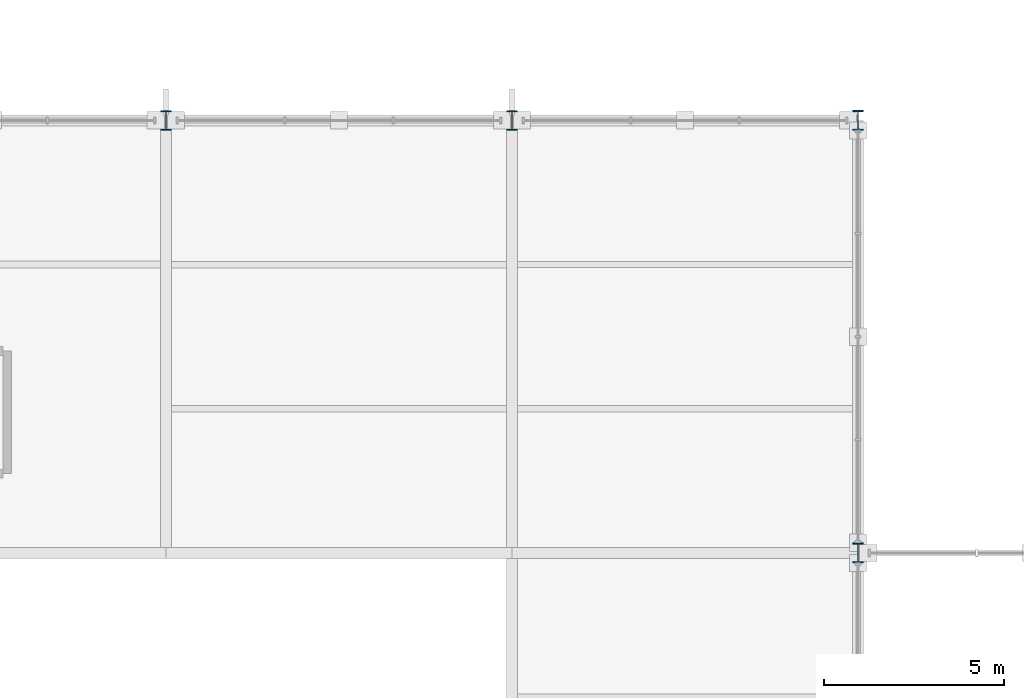
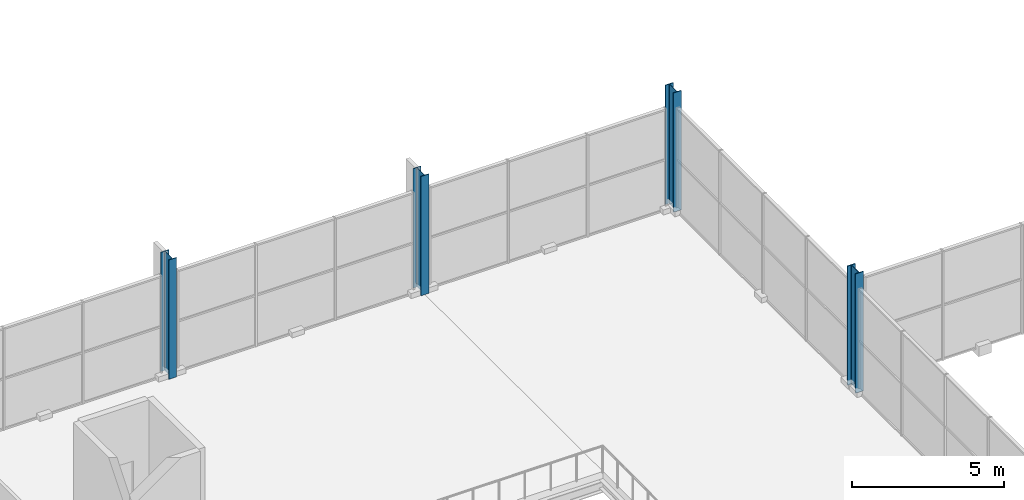
# One storey, part 13 of 159: 4 columns.
"""IFC4 building model written with IfcOpenShell, lengths in metres."""

from ifc_helpers import new_model, si_unit, direction, frame, origin, origin_2d, place, context, subcontext, project, spatial, i_section, extrude, material, material_profile, profile_set, type_object, element, save


model = new_model("IFC4")

# Units and contexts
model_context = context("Model", 3, precision=1e-05, world=origin(), true_north=direction((0.0, 1.0)))
body_context = subcontext(model_context, "Body", "Model", "MODEL_VIEW")
ifc_project = project(units=[si_unit("LENGTHUNIT", "METRE"), si_unit("AREAUNIT", "SQUARE_METRE"), si_unit("VOLUMEUNIT", "CUBIC_METRE"), si_unit("PLANEANGLEUNIT", "RADIAN"), si_unit("MASSUNIT", "GRAM", prefix="KILO")], contexts=[model_context])

# Site, building, storey
site_placement = place(None, origin())
site = spatial("IfcSite", under=ifc_project, at=site_placement, CompositionType="ELEMENT")
building_placement = place(site_placement, origin())
building = spatial("IfcBuilding", under=site, at=building_placement, Name="Merenkruunu Market Hall", CompositionType="ELEMENT")
storey_placement = place(building_placement, frame((0.0, 0.0, 5.39990234375)))
storey = spatial("IfcBuildingStorey", under=building, at=storey_placement, Name="L01", CompositionType="ELEMENT", Elevation=5.39990234375)

# Columns
ifc_material_1 = material(Name="Steel S355ML", Category="steel")
ifc_material_profile_1 = material_profile(ifc_material_1, i_section(OverallWidth=0.300048828125, OverallDepth=0.550048828125, WebThickness=0.014892578125, FlangeThickness=0.029052734375, FilletRadius=0.027099609375, at=origin_2d()), Name="HEB 550")
ifc_profile_set_1 = profile_set([ifc_material_profile_1], Name="Steel S355ML")
column_type_1 = type_object("IfcColumnType", Name="Structural Column C02", PredefinedType="COLUMN", material=ifc_profile_set_1)
for number, where, z_axis, x_axis, name in (
    (1, (57.60009765625, 99.60009765625, 0.0), (0.0, 0.0, 1.0), (1.0, 0.0, 0.0), "COL-L01-G-11"),
    (2, (57.60009765625, 111.60009765625, 0.0), (0.0, 0.0, 1.0), (1.0, 0.0, 0.0), "COL-L01-G-12"),
):
    element("IfcColumn", number, at=place(storey_placement, frame(where, z_axis=z_axis, x_axis=x_axis)), inside=storey, type_object=column_type_1, Name=name, PredefinedType="COLUMN", context=body_context, shape_type="SweptSolid", body=[
        extrude(i_section(OverallWidth=0.300048828125, OverallDepth=0.550048828125, WebThickness=0.014892578125, FlangeThickness=0.029052734375, FilletRadius=0.027099609375, at=origin_2d()), origin(), (0.0, 0.0, 1.0), 4.800048828125),
    ])
ifc_material_2 = material(Name="Steel S355J2", Category="steel")
ifc_material_profile_2 = material_profile(ifc_material_2, i_section(OverallWidth=0.300048828125, OverallDepth=0.5400390625, WebThickness=0.012451171875, FlangeThickness=0.02392578125, FilletRadius=0.027099609375, at=origin_2d()), Name="HEA 550")
ifc_profile_set_2 = profile_set([ifc_material_profile_2], Name="Steel S355J2")
column_type_2 = type_object("IfcColumnType", Name="Structural Column C06", PredefinedType="COLUMN", material=ifc_profile_set_2)
for number, where, z_axis, x_axis, name in (
    (3, (38.39990234375, 111.60009765625, 0.0), (0.0, 0.0, 1.0), (1.0, 0.0, 0.0), "COL-L01-E-12"),
    (4, (48.0, 111.60009765625, 0.0), (0.0, 0.0, 1.0), (1.0, 0.0, 0.0), "COL-L01-F-12"),
):
    element("IfcColumn", number, at=place(storey_placement, frame(where, z_axis=z_axis, x_axis=x_axis)), inside=storey, type_object=column_type_2, Name=name, PredefinedType="COLUMN", context=body_context, shape_type="SweptSolid", body=[
        extrude(i_section(OverallWidth=0.300048828125, OverallDepth=0.5400390625, WebThickness=0.012451171875, FlangeThickness=0.02392578125, FilletRadius=0.027099609375, at=origin_2d()), origin(), (0.0, 0.0, 1.0), 4.800048828125),
    ])

save(model, "model.ifc")
